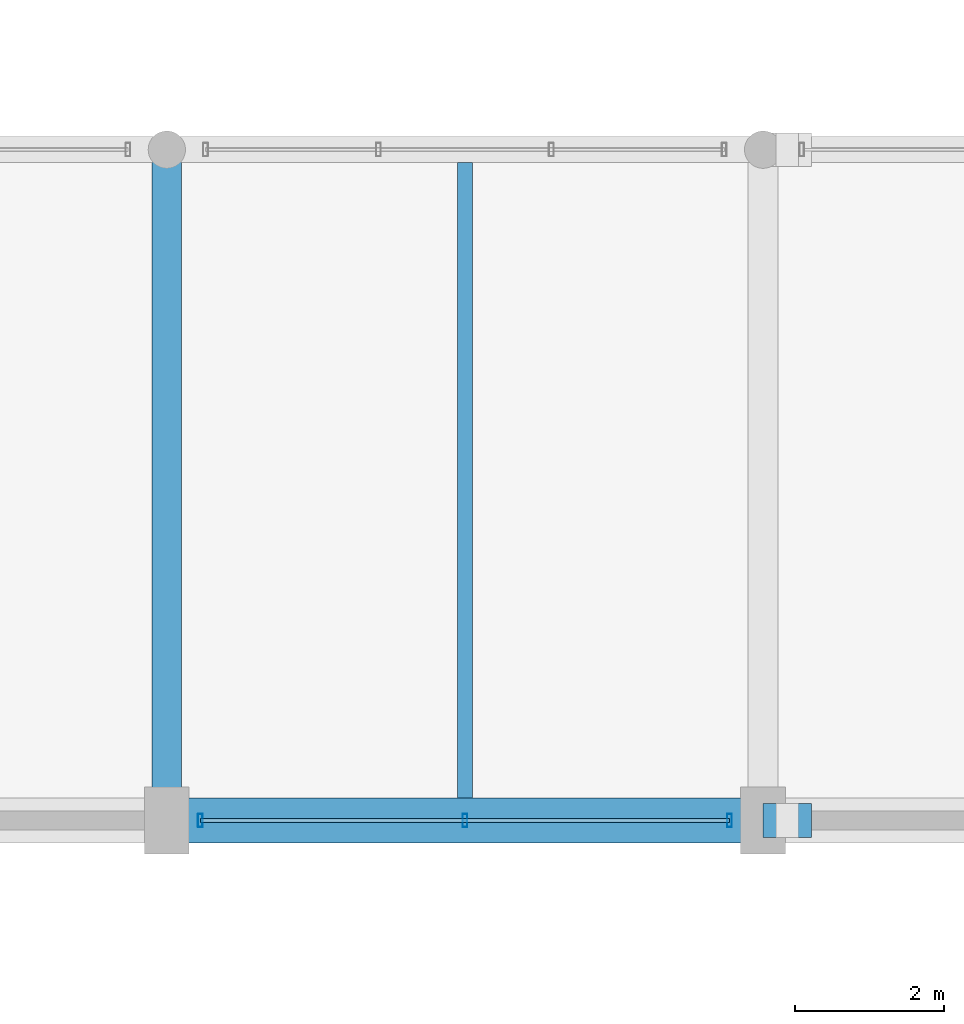
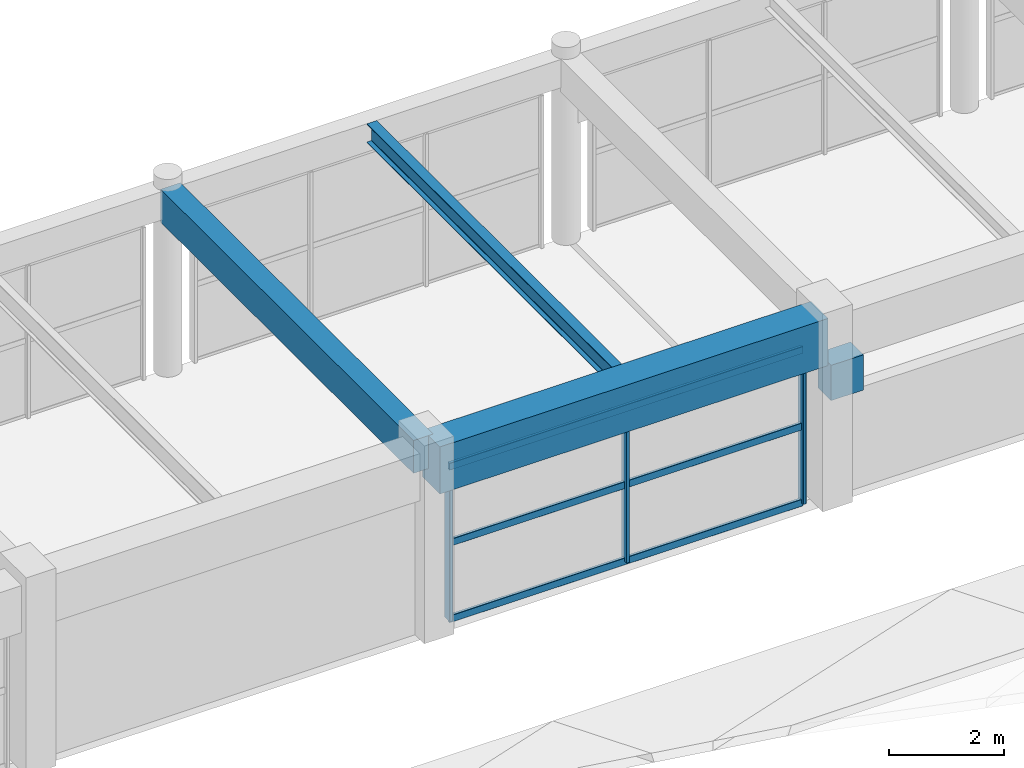
# One storey, part 44 of 126: 6 members, 4 beams, 1 element without a shape of its own.
"""IFC4 building model written with IfcOpenShell, lengths in metres."""

from ifc_helpers import new_model, si_unit, direction, frame, origin, origin_2d, place, context, subcontext, project, spatial, rectangle, hollow_rectangle, i_section, extrude, material, material_profile, profile_set, type_object, element, aggregate, save


model = new_model("IFC4")

# Units and contexts
model_context = context("Model", 3, precision=1e-05, world=origin(), true_north=direction((0.0, 1.0)))
body_context = subcontext(model_context, "Body", "Model", "MODEL_VIEW")
ifc_project = project(units=[si_unit("LENGTHUNIT", "METRE"), si_unit("AREAUNIT", "SQUARE_METRE"), si_unit("VOLUMEUNIT", "CUBIC_METRE"), si_unit("PLANEANGLEUNIT", "RADIAN"), si_unit("MASSUNIT", "GRAM", prefix="KILO")], contexts=[model_context])

# Site, building, storey
site_placement = place(None, origin())
site = spatial("IfcSite", under=ifc_project, at=site_placement, CompositionType="ELEMENT")
building_placement = place(site_placement, origin())
building = spatial("IfcBuilding", under=site, at=building_placement, Name="Varnabhumi Central Station", CompositionType="ELEMENT")
storey_placement = place(building_placement, frame((0.0, 0.0, 16.199951171875)))
storey = spatial("IfcBuildingStorey", under=building, at=storey_placement, Name="L03", CompositionType="ELEMENT", Elevation=16.199951171875)

# Beams
ifc_material_1 = material(Name="Concrete M40", Category="concrete")
ifc_material_profile_1 = material_profile(ifc_material_1, rectangle(XDim=0.449951171875, YDim=0.75, at=origin_2d()), Name="Concrete M40", Category="concrete")
ifc_profile_set_1 = profile_set([ifc_material_profile_1], Name="Concrete M40")
beam_type_1 = type_object("IfcBeamType", Name="BM-RC-450x750", PredefinedType="BEAM", material=ifc_profile_set_1)
beam_1_placement = place(storey_placement, frame((64.0, 80.0, 2.4951171875), z_axis=(1.0, 0.0, 0.0), x_axis=(0.0, 1.0, 0.0)))
element("IfcBeam", 1, at=beam_1_placement, inside=storey, type_object=beam_type_1, Name="Movement Joint 650mm Corbel Seat L03-K-9", PredefinedType="BEAM", context=body_context, shape_type="SweptSolid", body=[
    extrude(rectangle(XDim=0.449951171875, YDim=0.75, at=origin_2d()), origin(), (0.0, 0.0, 1.0), 0.64990234375),
])
ifc_material_2 = material(Name="Concrete M50", Category="concrete")
ifc_material_profile_2 = material_profile(ifc_material_2, rectangle(XDim=0.60009765625, YDim=1.0, at=origin_2d()), Name="Concrete M50", Category="concrete")
ifc_profile_set_2 = profile_set([ifc_material_profile_2], Name="Concrete M50")
beam_type_2 = type_object("IfcBeamType", Name="BM-RC-600x1000", PredefinedType="BEAM", material=ifc_profile_set_2)
beam_2_placement = place(storey_placement, frame((56.10009765625, 80.0, 3.449951171875), z_axis=(1.0, 0.0, 0.0), x_axis=(0.0, 1.0, 0.0)))
element("IfcBeam", 2, at=beam_2_placement, inside=storey, type_object=beam_type_2, Name="Beam L03-K:8-9", PredefinedType="BEAM", context=body_context, shape_type="SweptSolid", body=[
    extrude(rectangle(XDim=0.60009765625, YDim=1.0, at=origin_2d()), origin(), (0.0, 0.0, 1.0), 7.7998046875),
])
ifc_material_profile_3 = material_profile(ifc_material_1, rectangle(XDim=0.39990234375, YDim=0.699951171875, at=origin_2d()), Name="Concrete M40", Category="concrete")
ifc_profile_set_3 = profile_set([ifc_material_profile_3], Name="Concrete M40")
beam_type_3 = type_object("IfcBeamType", Name="BM-RC-700x400", PredefinedType="BEAM", material=ifc_profile_set_3)
beam_3_placement = place(storey_placement, frame((56.0, 80.10009765625, 3.60009765625), z_axis=(0.0, 1.0, 0.0), x_axis=(-1.0, 0.0, 0.0)))
element("IfcBeam", 3, at=beam_3_placement, inside=storey, type_object=beam_type_3, Name="Beam L03-8:K-L", PredefinedType="BEAM", context=body_context, shape_type="SweptSolid", body=[
    extrude(rectangle(XDim=0.39990234375, YDim=0.699951171875, at=origin_2d()), origin(), (0.0, 0.0, 1.0), 8.7998046875),
])
ifc_material_3 = material(Name="Structural steel E350", Category="steel")
ifc_material_profile_4 = material_profile(ifc_material_3, i_section(OverallWidth=0.199951171875, OverallDepth=0.39990234375, WebThickness=0.008544921875, FlangeThickness=0.012939453125, FilletRadius=0.012939453125, at=origin_2d()), Name="Structural steel E350", Category="steel")
ifc_profile_set_4 = profile_set([ifc_material_profile_4], Name="Structural steel E350")
beam_type_4 = type_object("IfcBeamType", Name="BM-SEC-ISWB400", PredefinedType="JOIST", material=ifc_profile_set_4)
beam_4_placement = place(storey_placement, frame((60.0, 80.300048828125, 3.75), z_axis=(0.0, 1.0, 0.0), x_axis=(-1.0, 0.0, 0.0)))
element("IfcBeam", 4, at=beam_4_placement, inside=storey, type_object=beam_type_4, Name="Secondary Joist L03-8/9:K-L", PredefinedType="JOIST", context=body_context, shape_type="SweptSolid", body=[
    extrude(i_section(OverallWidth=0.199951171875, OverallDepth=0.39990234375, WebThickness=0.008544921875, FlangeThickness=0.012939453125, FilletRadius=0.012939453125, at=origin_2d()), origin(), (0.0, 0.0, 1.0), 8.52490234375),
])

# Curtain wall, members
ifc_material_4 = material(Name="Anodised aluminium 6063-T6", Category="aluminium")
curtain_wall_type = type_object("IfcCurtainWallType", Name="CW-SPINE-SCREEN-L0", PredefinedType="NOTDEFINED", material=ifc_material_4)
curtain_wall_placement = place(storey_placement, origin())
curtain_wall = element("IfcCurtainWall", 5, at=curtain_wall_placement, inside=storey, type_object=curtain_wall_type, Name="Curtain Wall CW-NS304", PredefinedType="NOTDEFINED")
ifc_material_profile_5 = material_profile(ifc_material_4, hollow_rectangle(XDim=0.06494140625, YDim=0.179931640625, WallThickness=0.00390625, InnerFilletRadius=0.001953125, OuterFilletRadius=0.006103515625, at=origin_2d()), Name="Anodised aluminium 6063-T6", Category="aluminium")
ifc_profile_set_5 = profile_set([ifc_material_profile_5], Name="Anodised aluminium 6063-T6")
member_type_1 = type_object("IfcMemberType", Name="CW-MUL-180", PredefinedType="MULLION", material=ifc_profile_set_5)
member_1_placement = place(storey_placement, frame((56.449951171875, 80.0, 0.0), z_axis=(0.0, 0.0, 1.0), x_axis=(1.0, 0.0, 0.0)))
member_1 = element("IfcMember", 6, at=member_1_placement, type_object=member_type_1, Name="Curtain Wall Mullion CW-NS304-M1", PredefinedType="MULLION", context=body_context, shape_type="SweptSolid", body=[
    extrude(hollow_rectangle(XDim=0.06494140625, YDim=0.179931640625, WallThickness=0.00390625, InnerFilletRadius=0.001953125, OuterFilletRadius=0.006103515625, at=origin_2d()), origin(), (0.0, 0.0, 1.0), 3.239990234375),
])
member_2_placement = place(storey_placement, frame((60.0, 80.0, 0.0), z_axis=(0.0, 0.0, 1.0), x_axis=(1.0, 0.0, 0.0)))
member_2 = element("IfcMember", 7, at=member_2_placement, type_object=member_type_1, Name="Curtain Wall Mullion CW-NS304-M2", PredefinedType="MULLION", context=body_context, shape_type="SweptSolid", body=[
    extrude(hollow_rectangle(XDim=0.06494140625, YDim=0.179931640625, WallThickness=0.00390625, InnerFilletRadius=0.001953125, OuterFilletRadius=0.006103515625, at=origin_2d()), origin(), (0.0, 0.0, 1.0), 3.239990234375),
])
member_3_placement = place(storey_placement, frame((63.550048828125, 80.0, 0.0), z_axis=(0.0, 0.0, 1.0), x_axis=(1.0, 0.0, 0.0)))
member_3 = element("IfcMember", 8, at=member_3_placement, type_object=member_type_1, Name="Curtain Wall Mullion CW-NS304-M3", PredefinedType="MULLION", context=body_context, shape_type="SweptSolid", body=[
    extrude(hollow_rectangle(XDim=0.06494140625, YDim=0.179931640625, WallThickness=0.00390625, InnerFilletRadius=0.001953125, OuterFilletRadius=0.006103515625, at=origin_2d()), origin(), (0.0, 0.0, 1.0), 3.239990234375),
])
ifc_material_profile_6 = material_profile(ifc_material_4, hollow_rectangle(XDim=0.06005859375, YDim=0.14990234375, WallThickness=0.00390625, InnerFilletRadius=0.001953125, OuterFilletRadius=0.006103515625, at=origin_2d()), Name="Anodised aluminium 6063-T6", Category="aluminium")
ifc_profile_set_6 = profile_set([ifc_material_profile_6], Name="Anodised aluminium 6063-T6")
member_type_2 = type_object("IfcMemberType", Name="CW-TR-150", PredefinedType="USERDEFINED", material=ifc_profile_set_6)
member_4_placement = place(storey_placement, frame((56.449951171875, 80.0, 0.0), z_axis=(1.0, 0.0, 0.0), x_axis=(0.0, 1.0, 0.0)))
member_4 = element("IfcMember", 9, at=member_4_placement, type_object=member_type_2, Name="Curtain Wall Transom CW-NS304-T1", ObjectType="TRANSOM", PredefinedType="USERDEFINED", context=body_context, shape_type="SweptSolid", body=[
    extrude(hollow_rectangle(XDim=0.06005859375, YDim=0.14990234375, WallThickness=0.00390625, InnerFilletRadius=0.001953125, OuterFilletRadius=0.006103515625, at=origin_2d()), origin(), (0.0, 0.0, 1.0), 7.10009765625),
])
member_5_placement = place(storey_placement, frame((56.449951171875, 80.0, 1.6201171875), z_axis=(1.0, 0.0, 0.0), x_axis=(0.0, 1.0, 0.0)))
member_5 = element("IfcMember", 10, at=member_5_placement, type_object=member_type_2, Name="Curtain Wall Transom CW-NS304-T2", ObjectType="TRANSOM", PredefinedType="USERDEFINED", context=body_context, shape_type="SweptSolid", body=[
    extrude(hollow_rectangle(XDim=0.06005859375, YDim=0.14990234375, WallThickness=0.00390625, InnerFilletRadius=0.001953125, OuterFilletRadius=0.006103515625, at=origin_2d()), origin(), (0.0, 0.0, 1.0), 7.10009765625),
])
member_6_placement = place(storey_placement, frame((56.449951171875, 80.0, 3.239990234375), z_axis=(1.0, 0.0, 0.0), x_axis=(0.0, 1.0, 0.0)))
member_6 = element("IfcMember", 11, at=member_6_placement, type_object=member_type_2, Name="Curtain Wall Transom CW-NS304-T3", ObjectType="TRANSOM", PredefinedType="USERDEFINED", context=body_context, shape_type="SweptSolid", body=[
    extrude(hollow_rectangle(XDim=0.06005859375, YDim=0.14990234375, WallThickness=0.00390625, InnerFilletRadius=0.001953125, OuterFilletRadius=0.006103515625, at=origin_2d()), origin(), (0.0, 0.0, 1.0), 7.10009765625),
])
aggregate(curtain_wall, [member_1, member_2, member_3, member_4, member_5, member_6])

save(model, "model.ifc")
